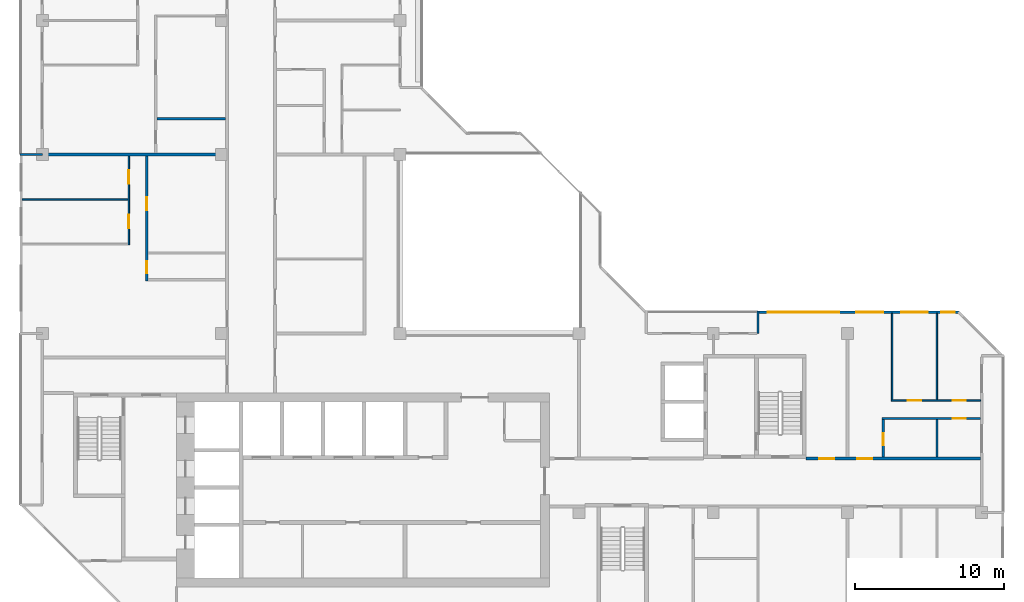
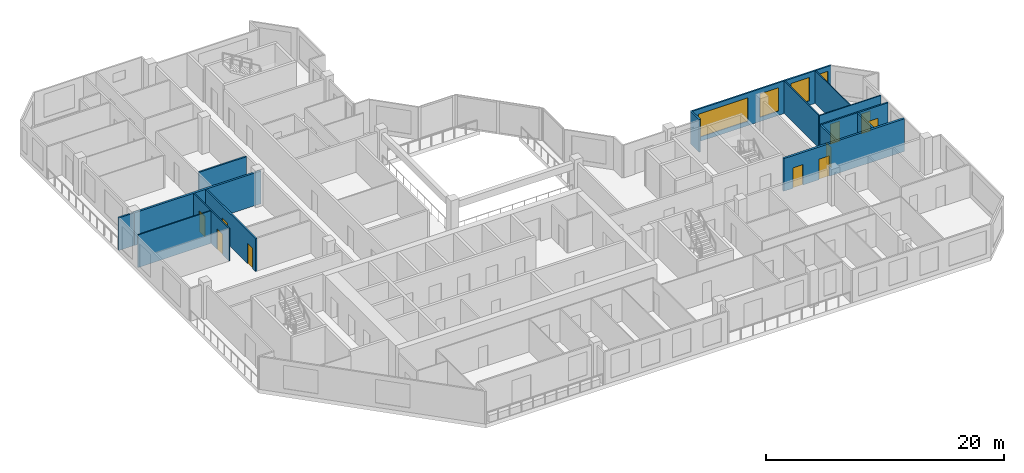
# One storey, part 8 of 13: 15 walls, 10 doors, 4 windows, 14 openings.
"""IFC4 building model written with IfcOpenShell, lengths in metres."""

import ifcopenshell
import ifcopenshell.guid

model = None  # the IFC model being written
_history = None  # IfcOwnerHistory: only IFC2X3 demands one
_inside = {}  # id of a spatial element -> (the spatial element, [elements in it])
_under = {}  # id of a project, library or spatial element -> (it, [spatial elements below it])
_declared = {}  # id of a project -> (the project, [libraries it declares])
_typed = {}  # id of a type object -> (the type object, [elements of that type])
_made_of = {}  # id of a material, layer set ... -> (it, [elements and type objects made of it])


def new_model(schema):
    """Start an empty IFC model of exactly this schema.

    Asked for "IFC4X3", IfcOpenShell would pick the latest addendum, in which some entities
    have other attributes; the version numbers below select the first issue.
    IFC2X3 requires an IfcOwnerHistory on every rooted entity: one is made here for all.
    """
    global model, _history
    if schema == "IFC4X3":
        model = ifcopenshell.file(schema_version=(4, 3, 0, 0))
    else:
        model = ifcopenshell.file(schema=schema)
    _inside.clear()
    _under.clear()
    _declared.clear()
    _typed.clear()
    _made_of.clear()
    _history = None
    if model.schema == "IFC2X3":
        org = make("IfcOrganization", Name="unknown")
        user = make(
            "IfcPersonAndOrganization",
            ThePerson=make("IfcPerson", FamilyName="unknown"),
            TheOrganization=org,
        )
        app = make(
            "IfcApplication",
            ApplicationDeveloper=org,
            Version="unknown",
            ApplicationFullName="unknown",
            ApplicationIdentifier="unknown",
        )
        _history = make(
            "IfcOwnerHistory",
            OwningUser=user,
            OwningApplication=app,
            ChangeAction="ADDED",
            CreationDate=0,
        )
    return model


def make(cls, **values):
    """One entity of the class cls with the attributes given. An attribute that is None is left unset."""
    return model.create_entity(
        cls, **{name: value for name, value in values.items() if value is not None}
    )


def rooted(cls, **values):
    """An entity with a GlobalId (a new one), such as an element, a storey or a relation."""
    return make(cls, GlobalId=ifcopenshell.guid.new(), OwnerHistory=_history, **values)


def si_unit(unit_type, name, prefix=None):
    """IfcSIUnit, for example si_unit("LENGTHUNIT", "METRE", prefix="MILLI")."""
    return make("IfcSIUnit", UnitType=unit_type, Prefix=prefix, Name=name)


def assignment(units):
    """IfcUnitAssignment: the units of a project."""
    return None if units is None else make("IfcUnitAssignment", Units=units)


def point(xyz):
    """IfcCartesianPoint."""
    return None if xyz is None else make("IfcCartesianPoint", Coordinates=xyz)


def direction(xyz):
    """IfcDirection."""
    return None if xyz is None else make("IfcDirection", DirectionRatios=xyz)


def frame(location, z_axis=None, x_axis=None):
    """IfcAxis2Placement3D, a coordinate frame: its origin and axes. An axis left out is left unset."""
    return make(
        "IfcAxis2Placement3D",
        Location=point(location),
        Axis=direction(z_axis),
        RefDirection=direction(x_axis),
    )


def frame_2d(location, x_axis=None):
    """IfcAxis2Placement2D, a coordinate frame in the plane: its origin and x axis."""
    return make(
        "IfcAxis2Placement2D", Location=point(location), RefDirection=direction(x_axis)
    )


def origin():
    """The frame at (0, 0, 0) with its axes left unset."""
    return frame((0.0, 0.0, 0.0))


def place(relative_to, where):
    """IfcLocalPlacement: puts the frame where relative to a parent placement (None: the world)."""
    return make(
        "IfcLocalPlacement", PlacementRelTo=relative_to, RelativePlacement=where
    )


def context(
    kind, dimensions, precision=None, world=None, true_north=None, identifier=None
):
    """IfcGeometricRepresentationContext, for example the 3D "Model" context."""
    return make(
        "IfcGeometricRepresentationContext",
        ContextIdentifier=identifier,
        ContextType=kind,
        CoordinateSpaceDimension=dimensions,
        Precision=precision,
        WorldCoordinateSystem=world,
        TrueNorth=true_north,
    )


def subcontext(parent, identifier, kind, view, scale=None):
    """IfcGeometricRepresentationSubContext, for example "Body" below "Model"."""
    return make(
        "IfcGeometricRepresentationSubContext",
        ContextIdentifier=identifier,
        ContextType=kind,
        ParentContext=parent,
        TargetScale=scale,
        TargetView=view,
    )


def project(units=None, contexts=None):
    """IfcProject with its units and contexts."""
    return rooted(
        "IfcProject",
        Name="project",
        RepresentationContexts=contexts,
        UnitsInContext=assignment(units),
    )


def spatial(cls, under=None, at=None, **own):
    """A site, building, storey or space (cls), placed at a placement, below another one or the project."""
    s = rooted(cls, ObjectPlacement=at, **own)
    if under is not None:
        _under.setdefault(under.id(), (under, []))[1].append(s)
    return s


def profile(cls, at=None, kind="AREA", **sizes):
    """A parametric profile (cls). Its sizes go by their IFC names, for example OverallWidth=200.0."""
    return make(cls, ProfileType=kind, Position=at, **sizes)


def rectangle(**sizes):
    """IfcRectangleProfileDef."""
    return profile("IfcRectangleProfileDef", **sizes)


def extrude(swept, where, along, depth):
    """IfcExtrudedAreaSolid: the profile swept, set in the frame where, extruded along a direction by depth."""
    return make(
        "IfcExtrudedAreaSolid",
        SweptArea=swept,
        Position=where,
        ExtrudedDirection=direction(along),
        Depth=depth,
    )


def shape(context_of_items, identifier, shape_type, items):
    """IfcShapeRepresentation: the items that make up one representation, for example the "Body"."""
    return make(
        "IfcShapeRepresentation",
        ContextOfItems=context_of_items,
        RepresentationIdentifier=identifier,
        RepresentationType=shape_type,
        Items=items,
    )


def material(Name=None, Category=None):
    """IfcMaterial."""
    return make("IfcMaterial", Name=Name, Category=Category)


def layer(
    of_material, thickness, ventilated=None, Name=None, Category=None, Priority=None
):
    """IfcMaterialLayer: one layer of a wall or slab, of a material (None: an air gap)."""
    return make(
        "IfcMaterialLayer",
        Material=of_material,
        LayerThickness=thickness,
        IsVentilated=ventilated,
        Name=Name,
        Category=Category,
        Priority=Priority,
    )


def layer_set(layers, Name=None):
    """IfcMaterialLayerSet."""
    return make("IfcMaterialLayerSet", MaterialLayers=layers, LayerSetName=Name)


def made_of(thing, what):
    """Note that an element or type object is made of a material, layer set ...; save() writes the relation."""
    if what is not None:
        _made_of.setdefault(what.id(), (what, []))[1].append(thing)
    return thing


def type_object(cls, material=None, **own):
    """A type object (cls), such as IfcWallType, which elements share."""
    return made_of(rooted(cls, **own), material)


def element(
    cls,
    number,
    at=None,
    inside=None,
    cuts=None,
    type_object=None,
    material=None,
    context=None,
    identifier="Body",
    shape_type=None,
    held_by="IfcProductDefinitionShape",
    body=None,
    shapes=None,
    **own,
):
    """One element of the class cls, such as IfcWall. Its Tag is "e" and its number.

    at: its placement. inside: the storey or other place that contains it. cuts: it is an
    opening in that element (IfcRelVoidsElement). A single representation is given by context,
    identifier, shape_type and body (its items); several are given by shapes. held_by: the class
    of the entity that holds the representations. save() writes the other relations.
    """
    e = rooted(cls, Tag="e%d" % number, ObjectPlacement=at, **own)
    if body is not None:
        shapes = [shape(context, identifier, shape_type, body)]
    if shapes is not None:
        e.Representation = make(held_by, Representations=shapes)
    if inside is not None:
        _inside.setdefault(inside.id(), (inside, []))[1].append(e)
    if cuts is not None:
        rooted(
            "IfcRelVoidsElement", RelatingBuildingElement=cuts, RelatedOpeningElement=e
        )
    if type_object is not None:
        _typed.setdefault(type_object.id(), (type_object, []))[1].append(e)
    return made_of(e, material)


def fill(opening, filler):
    """IfcRelFillsElement: the door or window that sits in an opening."""
    return rooted(
        "IfcRelFillsElement",
        RelatingOpeningElement=opening,
        RelatedBuildingElement=filler,
    )


def aggregate(whole, parts):
    """IfcRelAggregates: a whole, such as a stair, and the parts it consists of."""
    return rooted("IfcRelAggregates", RelatingObject=whole, RelatedObjects=parts)


def save(model, path):
    """Write the relations noted so far, then the file.

    IfcRelAggregates (storeys below a building ...), IfcRelContainedInSpatialStructure (elements
    in a storey), IfcRelDefinesByType, IfcRelAssociatesMaterial and IfcRelDeclares: one each for
    every whole, place, type object, material and project.
    """
    for whole, parts in _under.values():
        aggregate(whole, parts)
    for where, things in _inside.values():
        rooted(
            "IfcRelContainedInSpatialStructure",
            RelatedElements=things,
            RelatingStructure=where,
        )
    for kind, things in _typed.values():
        rooted("IfcRelDefinesByType", RelatedObjects=things, RelatingType=kind)
    for what, things in _made_of.values():
        rooted("IfcRelAssociatesMaterial", RelatedObjects=things, RelatingMaterial=what)
    for by, libraries in _declared.values():
        rooted("IfcRelDeclares", RelatingContext=by, RelatedDefinitions=libraries)
    model.write(path)


model = new_model("IFC4")

# Units and contexts
model_context = context("Model", 3, precision=1e-05, world=origin(), true_north=direction((0.0, 1.0)))
body_context = subcontext(model_context, "Body", "Model", "MODEL_VIEW")
ifc_project = project(units=[si_unit("LENGTHUNIT", "METRE"), si_unit("AREAUNIT", "SQUARE_METRE"), si_unit("VOLUMEUNIT", "CUBIC_METRE"), si_unit("PLANEANGLEUNIT", "RADIAN"), si_unit("MASSUNIT", "GRAM", prefix="KILO")], contexts=[model_context])

# Site, building, storey
site_placement = place(None, origin())
site = spatial("IfcSite", under=ifc_project, at=site_placement, CompositionType="ELEMENT")
building_placement = place(site_placement, origin())
building = spatial("IfcBuilding", under=site, at=building_placement, Name="Chenar Terraces", CompositionType="ELEMENT")
storey_placement = place(building_placement, frame((0.0, 0.0, 284.64990234375)))
storey = spatial("IfcBuildingStorey", under=building, at=storey_placement, Name="L66", CompositionType="ELEMENT", Elevation=284.64990234375)

# Wall, openings, doors
ifc_material_1 = material(Name="Gypsum board on steel studs with fire boards", Category="steel")
ifc_layer_1 = layer(ifc_material_1, 0.199951171875)
ifc_layer_set_1 = layer_set([ifc_layer_1], Name="Gypsum board on steel studs with fire boards")
wall_type_1 = type_object("IfcWallType", Name="Corridor wall 200", PredefinedType="PARTITIONING", material=ifc_layer_set_1)
wall_1_placement = place(storey_placement, frame((51.22509765625, 15.60009765625, 0.0), z_axis=(0.0, 0.0, 1.0), x_axis=(1.0, 0.0, 0.0)))
wall_1 = element("IfcWall", 1, at=wall_1_placement, inside=storey, type_object=wall_type_1, Name="Partition L66-061", PredefinedType="PARTITIONING", context=body_context, shape_type="SweptSolid", body=[
    extrude(rectangle(XDim=11.700927734375, YDim=0.199951171875, at=frame_2d((5.8505859375, 0.0))), origin(), (0.0, 0.0, 1.0), 3.35009765625),
])
opening_1_placement = place(wall_1_placement, frame((3.425048828125, 0.0, 0.0)))
opening_1 = element("IfcOpeningElement", 2, at=opening_1_placement, cuts=wall_1, Name="Opening DL66-8", PredefinedType="OPENING", context=body_context, shape_type="SweptSolid", body=[
    extrude(rectangle(XDim=1.0, YDim=2.10009765625, at=frame_2d((0.5, 1.050048828125))), frame((0.0, 0.10986328125, 0.0), z_axis=(0.0, -1.0, 0.0), x_axis=(1.0, 0.0, 0.0)), (0.0, 0.0, 1.0), 0.219970703125),
])
opening_2_placement = place(wall_1_placement, frame((0.875, 0.0, 0.0)))
opening_2 = element("IfcOpeningElement", 3, at=opening_2_placement, cuts=wall_1, Name="Opening DL66-31", PredefinedType="OPENING", context=body_context, shape_type="SweptSolid", body=[
    extrude(rectangle(XDim=1.0, YDim=2.10009765625, at=frame_2d((0.5, 1.050048828125))), frame((0.0, 0.10986328125, 0.0), z_axis=(0.0, -1.0, 0.0), x_axis=(1.0, 0.0, 0.0)), (0.0, 0.0, 1.0), 0.219970703125),
])
ifc_material_2 = material(Name="Steel-framed fire-resisting door leaf", Category="steel")
door_type_1 = type_object("IfcDoorType", Name="Fire door FD30S 1000 x 2100", OperationType="SINGLE_SWING_LEFT", PredefinedType="DOOR", material=ifc_material_2)
door_1_placement = place(opening_1_placement, origin())
door_1 = element("IfcDoor", 4, at=door_1_placement, inside=storey, type_object=door_type_1, Name="Door DL66-8", OperationType="SINGLE_SWING_LEFT", OverallHeight=2.10009765625, OverallWidth=1.0, PredefinedType="DOOR", context=body_context, shape_type="SweptSolid", body=[
    extrude(rectangle(XDim=1.0, YDim=2.10009765625, at=frame_2d((0.5, 1.050048828125))), frame((0.0, 0.02490234375, 0.0), z_axis=(0.0, -1.0, 0.0), x_axis=(1.0, 0.0, 0.0)), (0.0, 0.0, 1.0), 0.050048828125),
])
fill(opening_1, door_1)
door_2_placement = place(opening_2_placement, origin())
door_2 = element("IfcDoor", 5, at=door_2_placement, inside=storey, type_object=door_type_1, Name="Door DL66-31", OperationType="SINGLE_SWING_RIGHT", OverallHeight=2.10009765625, OverallWidth=1.0, PredefinedType="DOOR", context=body_context, shape_type="SweptSolid", body=[
    extrude(rectangle(XDim=1.0, YDim=2.10009765625, at=frame_2d((0.5, 1.050048828125))), frame((0.0, 0.02490234375, 0.0), z_axis=(0.0, -1.0, 0.0), x_axis=(1.0, 0.0, 0.0)), (0.0, 0.0, 1.0), 0.050048828125),
])
fill(opening_2, door_2)

# Wall, openings, windows
ifc_material_3 = material(Name="Aluminium framed glazing", Category="aluminium")
ifc_layer_2 = layer(ifc_material_3, 0.14990234375)
ifc_layer_set_2 = layer_set([ifc_layer_2], Name="Aluminium framed glazing")
wall_type_2 = type_object("IfcWallType", Name="Glazed flush facade wall 150", PredefinedType="SOLIDWALL", material=ifc_layer_set_2)
wall_2_placement = place(storey_placement, frame((61.5, 25.425048828125, 0.0), z_axis=(0.0, 0.0, 1.0), x_axis=(-1.0, 0.0, 0.0)))
wall_2 = element("IfcWall", 6, at=wall_2_placement, inside=storey, type_object=wall_type_2, Name="Glazed flush facade wall", PredefinedType="SOLIDWALL", context=body_context, shape_type="SweptSolid", body=[
    extrude(rectangle(XDim=13.425048828125, YDim=0.14990234375, at=frame_2d((6.71240234375, 0.0))), origin(), (0.0, 0.0, 1.0), 3.35009765625),
])
opening_3_placement = place(wall_2_placement, frame((0.300048828125, 0.0, 0.449951171875)))
opening_3 = element("IfcOpeningElement", 7, at=opening_3_placement, cuts=wall_2, Name="Opening W90x240", PredefinedType="OPENING", context=body_context, shape_type="SweptSolid", body=[
    extrude(rectangle(XDim=0.89990234375, YDim=2.39990234375, at=frame_2d((0.449951171875, 1.199951171875))), frame((0.0, 0.0849609375, 0.0), z_axis=(0.0, -1.0, 0.0), x_axis=(1.0, 0.0, 0.0)), (0.0, 0.0, 1.0), 0.169921875),
])
opening_4_placement = place(wall_2_placement, frame((2.10009765625, 0.0, 0.449951171875)))
opening_4 = element("IfcOpeningElement", 8, at=opening_4_placement, cuts=wall_2, Name="Opening W180x240", PredefinedType="OPENING", context=body_context, shape_type="SweptSolid", body=[
    extrude(rectangle(XDim=1.800048828125, YDim=2.39990234375, at=frame_2d((0.89990234375, 1.199951171875))), frame((0.0, 0.0849609375, 0.0), z_axis=(0.0, -1.0, 0.0), x_axis=(1.0, 0.0, 0.0)), (0.0, 0.0, 1.0), 0.169921875),
])
opening_5_placement = place(wall_2_placement, frame((5.10009765625, 0.0, 0.449951171875)))
opening_5 = element("IfcOpeningElement", 9, at=opening_5_placement, cuts=wall_2, Name="Opening W180x240", PredefinedType="OPENING", context=body_context, shape_type="SweptSolid", body=[
    extrude(rectangle(XDim=1.800048828125, YDim=2.39990234375, at=frame_2d((0.89990234375, 1.199951171875))), frame((0.0, 0.0849609375, 0.0), z_axis=(0.0, -1.0, 0.0), x_axis=(1.0, 0.0, 0.0)), (0.0, 0.0, 1.0), 0.169921875),
])
opening_6_placement = place(wall_2_placement, frame((8.0625, 0.0, 0.449951171875)))
opening_6 = element("IfcOpeningElement", 10, at=opening_6_placement, cuts=wall_2, Name="Opening W480x240", PredefinedType="OPENING", context=body_context, shape_type="SweptSolid", body=[
    extrude(rectangle(XDim=4.800048828125, YDim=2.39990234375, at=frame_2d((2.39990234375, 1.199951171875))), frame((0.0, 0.0849609375, 0.0), z_axis=(0.0, -1.0, 0.0), x_axis=(1.0, 0.0, 0.0)), (0.0, 0.0, 1.0), 0.169921875),
])
ifc_material_4 = material(Name="Low emissivity double glazing, aluminium frame", Category="aluminium")
window_type_1 = type_object("IfcWindowType", Name="Fixed light 1800 x 2400", PartitioningType="SINGLE_PANEL", PredefinedType="WINDOW", material=ifc_material_4)
window_1_placement = place(opening_4_placement, origin())
window_1 = element("IfcWindow", 11, at=window_1_placement, inside=storey, type_object=window_type_1, Name="Window", OverallHeight=2.39990234375, OverallWidth=1.800048828125, PartitioningType="SINGLE_PANEL", PredefinedType="WINDOW", context=body_context, shape_type="SweptSolid", body=[
    extrude(rectangle(XDim=1.800048828125, YDim=2.39990234375, at=frame_2d((0.89990234375, 1.199951171875))), frame((0.0, 0.030029296875, 0.0), z_axis=(0.0, -1.0, 0.0), x_axis=(1.0, 0.0, 0.0)), (0.0, 0.0, 1.0), 0.06005859375),
])
fill(opening_4, window_1)
window_2_placement = place(opening_5_placement, origin())
window_2 = element("IfcWindow", 12, at=window_2_placement, inside=storey, type_object=window_type_1, Name="Window", OverallHeight=2.39990234375, OverallWidth=1.800048828125, PartitioningType="SINGLE_PANEL", PredefinedType="WINDOW", context=body_context, shape_type="SweptSolid", body=[
    extrude(rectangle(XDim=1.800048828125, YDim=2.39990234375, at=frame_2d((0.89990234375, 1.199951171875))), frame((0.0, 0.030029296875, 0.0), z_axis=(0.0, -1.0, 0.0), x_axis=(1.0, 0.0, 0.0)), (0.0, 0.0, 1.0), 0.06005859375),
])
fill(opening_5, window_2)
ifc_material_5 = material(Name="Low emissivity double glazing, aluminium frame", Category="aluminium")
window_type_2 = type_object("IfcWindowType", Name="Fixed light 4800 x 2400", PartitioningType="SINGLE_PANEL", PredefinedType="WINDOW", material=ifc_material_5)
window_3_placement = place(opening_6_placement, origin())
window_3 = element("IfcWindow", 13, at=window_3_placement, inside=storey, type_object=window_type_2, Name="Window", OverallHeight=2.39990234375, OverallWidth=4.800048828125, PartitioningType="SINGLE_PANEL", PredefinedType="WINDOW", context=body_context, shape_type="SweptSolid", body=[
    extrude(rectangle(XDim=4.800048828125, YDim=2.39990234375, at=frame_2d((2.39990234375, 1.199951171875))), frame((0.0, 0.030029296875, 0.0), z_axis=(0.0, -1.0, 0.0), x_axis=(1.0, 0.0, 0.0)), (0.0, 0.0, 1.0), 0.06005859375),
])
fill(opening_6, window_3)
ifc_material_6 = material(Name="Low emissivity double glazing, aluminium frame", Category="aluminium")
window_type_3 = type_object("IfcWindowType", Name="Fixed light 900 x 2400", PartitioningType="SINGLE_PANEL", PredefinedType="WINDOW", material=ifc_material_6)
window_4_placement = place(opening_3_placement, origin())
window_4 = element("IfcWindow", 14, at=window_4_placement, inside=storey, type_object=window_type_3, Name="Window", OverallHeight=2.39990234375, OverallWidth=0.89990234375, PartitioningType="SINGLE_PANEL", PredefinedType="WINDOW", context=body_context, shape_type="SweptSolid", body=[
    extrude(rectangle(XDim=0.89990234375, YDim=2.39990234375, at=frame_2d((0.449951171875, 1.199951171875))), frame((0.0, 0.030029296875, 0.0), z_axis=(0.0, -1.0, 0.0), x_axis=(1.0, 0.0, 0.0)), (0.0, 0.0, 1.0), 0.06005859375),
])
fill(opening_3, window_4)

# Wall
ifc_material_7 = material(Name="Gypsum board on steel studs", Category="steel")
ifc_layer_3 = layer(ifc_material_7, 0.10009765625)
ifc_layer_set_3 = layer_set([ifc_layer_3], Name="Gypsum board on steel studs")
wall_type_3 = type_object("IfcWallType", Name="Gypsum partition 100", PredefinedType="PARTITIONING", material=ifc_layer_set_3)
wall_3_placement = place(storey_placement, frame((-1.35107421875, 33.0, 0.0), z_axis=(0.0, 0.0, 1.0), x_axis=(1.0, 0.0, 0.0)))
element("IfcWall", 15, at=wall_3_placement, inside=storey, type_object=wall_type_3, Name="Partition L66-001", PredefinedType="PARTITIONING", context=body_context, shape_type="SweptSolid", body=[
    extrude(rectangle(XDim=7.10107421875, YDim=0.10009765625, at=frame_2d((3.550537109375, 0.0))), origin(), (0.0, 0.0, 1.0), 3.35009765625),
])

# Wall, openings, doors
wall_4_placement = place(storey_placement, frame((5.800048828125, 29.949951171875, 0.0), z_axis=(0.0, 0.0, 1.0), x_axis=(0.0, 1.0, 0.0)))
wall_4 = element("IfcWall", 16, at=wall_4_placement, inside=storey, type_object=wall_type_3, Name="Partition L66-013", PredefinedType="PARTITIONING", context=body_context, shape_type="SweptSolid", body=[
    extrude(rectangle(XDim=5.949951171875, YDim=0.10009765625, at=frame_2d((2.97509765625, 0.0))), origin(), (0.0, 0.0, 1.0), 3.35009765625),
])
opening_7_placement = place(wall_4_placement, frame((1.10009765625, 0.0, 0.0)))
opening_7 = element("IfcOpeningElement", 17, at=opening_7_placement, cuts=wall_4, Name="Opening DL66-50", PredefinedType="OPENING", context=body_context, shape_type="SweptSolid", body=[
    extrude(rectangle(XDim=0.89990234375, YDim=2.10009765625, at=frame_2d((0.449951171875, 1.050048828125))), frame((0.0, 0.06005859375, 0.0), z_axis=(0.0, -1.0, 0.0), x_axis=(1.0, 0.0, 0.0)), (0.0, 0.0, 1.0), 0.1201171875),
])
opening_8_placement = place(wall_4_placement, frame((4.10009765625, 0.0, 0.0)))
opening_8 = element("IfcOpeningElement", 18, at=opening_8_placement, cuts=wall_4, Name="Opening DL66-51", PredefinedType="OPENING", context=body_context, shape_type="SweptSolid", body=[
    extrude(rectangle(XDim=0.89990234375, YDim=2.10009765625, at=frame_2d((0.449951171875, 1.050048828125))), frame((0.0, 0.06005859375, 0.0), z_axis=(0.0, -1.0, 0.0), x_axis=(1.0, 0.0, 0.0)), (0.0, 0.0, 1.0), 0.1201171875),
])
ifc_material_8 = material(Name="Veneered timber door leaf", Category="wood")
door_type_2 = type_object("IfcDoorType", Name="Door 900 x 2100", OperationType="SINGLE_SWING_LEFT", PredefinedType="DOOR", material=ifc_material_8)
door_3_placement = place(opening_7_placement, origin())
door_3 = element("IfcDoor", 19, at=door_3_placement, inside=storey, type_object=door_type_2, Name="Door DL66-50", OperationType="SINGLE_SWING_LEFT", OverallHeight=2.10009765625, OverallWidth=0.89990234375, PredefinedType="DOOR", context=body_context, shape_type="SweptSolid", body=[
    extrude(rectangle(XDim=0.89990234375, YDim=2.10009765625, at=frame_2d((0.449951171875, 1.050048828125))), frame((0.0, 0.02490234375, 0.0), z_axis=(0.0, -1.0, 0.0), x_axis=(1.0, 0.0, 0.0)), (0.0, 0.0, 1.0), 0.050048828125),
])
fill(opening_7, door_3)
door_4_placement = place(opening_8_placement, origin())
door_4 = element("IfcDoor", 20, at=door_4_placement, inside=storey, type_object=door_type_2, Name="Door DL66-51", OperationType="SINGLE_SWING_RIGHT", OverallHeight=2.10009765625, OverallWidth=0.89990234375, PredefinedType="DOOR", context=body_context, shape_type="SweptSolid", body=[
    extrude(rectangle(XDim=0.89990234375, YDim=2.10009765625, at=frame_2d((0.449951171875, 1.050048828125))), frame((0.0, 0.02490234375, 0.0), z_axis=(0.0, -1.0, 0.0), x_axis=(1.0, 0.0, 0.0)), (0.0, 0.0, 1.0), 0.050048828125),
])
fill(opening_8, door_4)

wall_5_placement = place(storey_placement, frame((56.949951171875, 19.5, 0.0), z_axis=(0.0, 0.0, 1.0), x_axis=(1.0, 0.0, 0.0)))
wall_5 = element("IfcWall", 21, at=wall_5_placement, inside=storey, type_object=wall_type_3, Name="Partition L66-068", PredefinedType="PARTITIONING", context=body_context, shape_type="SweptSolid", body=[
    extrude(rectangle(XDim=5.97607421875, YDim=0.10009765625, at=frame_2d((2.988037109375, 0.0))), origin(), (0.0, 0.0, 1.0), 3.35009765625),
])
opening_9_placement = place(wall_5_placement, frame((1.10009765625, 0.0, 0.0)))
opening_9 = element("IfcOpeningElement", 22, at=opening_9_placement, cuts=wall_5, Name="Opening DL66-5", PredefinedType="OPENING", context=body_context, shape_type="SweptSolid", body=[
    extrude(rectangle(XDim=0.89990234375, YDim=2.10009765625, at=frame_2d((0.449951171875, 1.050048828125))), frame((0.0, 0.06005859375, 0.0), z_axis=(0.0, -1.0, 0.0), x_axis=(1.0, 0.0, 0.0)), (0.0, 0.0, 1.0), 0.1201171875),
])
opening_10_placement = place(wall_5_placement, frame((4.10009765625, 0.0, 0.0)))
opening_10 = element("IfcOpeningElement", 23, at=opening_10_placement, cuts=wall_5, Name="Opening DL66-6", PredefinedType="OPENING", context=body_context, shape_type="SweptSolid", body=[
    extrude(rectangle(XDim=0.89990234375, YDim=2.10009765625, at=frame_2d((0.449951171875, 1.050048828125))), frame((0.0, 0.06005859375, 0.0), z_axis=(0.0, -1.0, 0.0), x_axis=(1.0, 0.0, 0.0)), (0.0, 0.0, 1.0), 0.1201171875),
])
door_5_placement = place(opening_9_placement, origin())
door_5 = element("IfcDoor", 24, at=door_5_placement, inside=storey, type_object=door_type_2, Name="Door DL66-5", OperationType="SINGLE_SWING_LEFT", OverallHeight=2.10009765625, OverallWidth=0.89990234375, PredefinedType="DOOR", context=body_context, shape_type="SweptSolid", body=[
    extrude(rectangle(XDim=0.89990234375, YDim=2.10009765625, at=frame_2d((0.449951171875, 1.050048828125))), frame((0.0, 0.02490234375, 0.0), z_axis=(0.0, -1.0, 0.0), x_axis=(1.0, 0.0, 0.0)), (0.0, 0.0, 1.0), 0.050048828125),
])
fill(opening_9, door_5)
door_6_placement = place(opening_10_placement, origin())
door_6 = element("IfcDoor", 25, at=door_6_placement, inside=storey, type_object=door_type_2, Name="Door DL66-6", OperationType="SINGLE_SWING_LEFT", OverallHeight=2.10009765625, OverallWidth=0.89990234375, PredefinedType="DOOR", context=body_context, shape_type="SweptSolid", body=[
    extrude(rectangle(XDim=0.89990234375, YDim=2.10009765625, at=frame_2d((0.449951171875, 1.050048828125))), frame((0.0, 0.02490234375, 0.0), z_axis=(0.0, -1.0, 0.0), x_axis=(1.0, 0.0, 0.0)), (0.0, 0.0, 1.0), 0.050048828125),
])
fill(opening_10, door_6)

# Walls
wall_6_placement = place(storey_placement, frame((57.0, 19.550048828125, 0.0), z_axis=(0.0, 0.0, 1.0), x_axis=(0.0, 1.0, 0.0)))
element("IfcWall", 26, at=wall_6_placement, inside=storey, type_object=wall_type_3, Name="Partition L66-070", PredefinedType="PARTITIONING", context=body_context, shape_type="SweptSolid", body=[
    extrude(rectangle(XDim=5.800048828125, YDim=0.10009765625, at=frame_2d((2.89990234375, 0.0))), origin(), (0.0, 0.0, 1.0), 3.35009765625),
])
wall_7_placement = place(storey_placement, frame((60.0, 19.550048828125, 0.0), z_axis=(0.0, 0.0, 1.0), x_axis=(0.0, 1.0, 0.0)))
element("IfcWall", 27, at=wall_7_placement, inside=storey, type_object=wall_type_3, Name="Partition L66-075", PredefinedType="PARTITIONING", context=body_context, shape_type="SweptSolid", body=[
    extrude(rectangle(XDim=5.801025390625, YDim=0.10009765625, at=frame_2d((2.900390625, 0.0))), origin(), (0.0, 0.0, 1.0), 3.35009765625),
])
ifc_material_9 = material(Name="Terracotta cladding on insulated backing", Category="masonry")
ifc_layer_4 = layer(ifc_material_9, 0.14990234375)
ifc_layer_set_4 = layer_set([ifc_layer_4], Name="Terracotta cladding on insulated backing")
wall_type_4 = type_object("IfcWallType", Name="Loggia return wall 150", PredefinedType="SOLIDWALL", material=ifc_layer_set_4)
for number, where, z_axis, x_axis, name in (
    (28, (48.0, 25.5, 0.0), (0.0, 0.0, 1.0), (0.0, -1.0, 0.0), "Loggia return wall"),
    (29, (-1.5, 36.0, 0.0), (0.0, 0.0, 1.0), (1.0, 0.0, 0.0), "Loggia return wall"),
):
    element("IfcWall", number, at=place(storey_placement, frame(where, z_axis=z_axis, x_axis=x_axis)), inside=storey, type_object=wall_type_4, Name=name, PredefinedType="SOLIDWALL", context=body_context, shape_type="SweptSolid", body=[
        extrude(rectangle(XDim=1.5, YDim=0.14990234375, at=frame_2d((0.75, 0.0))), origin(), (0.0, 0.0, 1.0), 3.35009765625),
    ])
ifc_material_10 = material(Name="Twin gypsum board on steel studs with mineral wool", Category="steel")
ifc_layer_5 = layer(ifc_material_10, 0.199951171875)
ifc_layer_set_5 = layer_set([ifc_layer_5], Name="Twin gypsum board on steel studs with mineral wool")
wall_type_5 = type_object("IfcWallType", Name="Unit demising wall 200", PredefinedType="PARTITIONING", material=ifc_layer_set_5)
wall_8_placement = place(storey_placement, frame((0.0, 36.0, 0.0), z_axis=(0.0, 0.0, 1.0), x_axis=(1.0, 0.0, 0.0)))
element("IfcWall", 30, at=wall_8_placement, inside=storey, type_object=wall_type_5, Name="Partition L66-004", PredefinedType="PARTITIONING", context=body_context, shape_type="SweptSolid", body=[
    extrude(rectangle(XDim=12.300048828125, YDim=0.199951171875, at=frame_2d((6.14990234375, 0.0))), origin(), (0.0, 0.0, 1.0), 3.35009765625),
])

# Wall, openings, doors
ifc_material_11 = material(Name="Moisture-resistant gypsum board on steel studs", Category="steel")
ifc_layer_6 = layer(ifc_material_11, 0.14990234375)
ifc_layer_set_6 = layer_set([ifc_layer_6], Name="Moisture-resistant gypsum board on steel studs")
wall_type_6 = type_object("IfcWallType", Name="Wet-room partition 150", PredefinedType="PARTITIONING", material=ifc_layer_set_6)
wall_9_placement = place(storey_placement, frame((7.0, 27.52490234375, 0.0), z_axis=(0.0, 0.0, 1.0), x_axis=(0.0, 1.0, 0.0)))
wall_9 = element("IfcWall", 31, at=wall_9_placement, inside=storey, type_object=wall_type_6, Name="Partition L66-015", PredefinedType="PARTITIONING", context=body_context, shape_type="SweptSolid", body=[
    extrude(rectangle(XDim=8.375, YDim=0.14990234375, at=frame_2d((4.1875, 0.0))), origin(), (0.0, 0.0, 1.0), 3.35009765625),
])
opening_11_placement = place(wall_9_placement, frame((0.52490234375, 0.0, 0.0)))
opening_11 = element("IfcOpeningElement", 32, at=opening_11_placement, cuts=wall_9, Name="Opening DL66-49", PredefinedType="OPENING", context=body_context, shape_type="SweptSolid", body=[
    extrude(rectangle(XDim=0.800048828125, YDim=2.10009765625, at=frame_2d((0.39990234375, 1.050048828125))), frame((0.0, 0.0849609375, 0.0), z_axis=(0.0, -1.0, 0.0), x_axis=(1.0, 0.0, 0.0)), (0.0, 0.0, 1.0), 0.169921875),
])
opening_12_placement = place(wall_9_placement, frame((4.72509765625, 0.0, 0.0)))
opening_12 = element("IfcOpeningElement", 33, at=opening_12_placement, cuts=wall_9, Name="Opening DL66-52", PredefinedType="OPENING", context=body_context, shape_type="SweptSolid", body=[
    extrude(rectangle(XDim=0.89990234375, YDim=2.10009765625, at=frame_2d((0.449951171875, 1.050048828125))), frame((0.0, 0.0849609375, 0.0), z_axis=(0.0, -1.0, 0.0), x_axis=(1.0, 0.0, 0.0)), (0.0, 0.0, 1.0), 0.169921875),
])
ifc_material_12 = material(Name="Veneered timber door leaf", Category="wood")
door_type_3 = type_object("IfcDoorType", Name="Door 800 x 2100", OperationType="SINGLE_SWING_LEFT", PredefinedType="DOOR", material=ifc_material_12)
door_7_placement = place(opening_11_placement, frame((0.800048828125, 0.0, 0.0), z_axis=(0.0, 0.0, 1.0), x_axis=(-1.0, 0.0, 0.0)))
door_7 = element("IfcDoor", 34, at=door_7_placement, inside=storey, type_object=door_type_3, Name="Door DL66-49", OperationType="SINGLE_SWING_RIGHT", OverallHeight=2.10009765625, OverallWidth=0.800048828125, PredefinedType="DOOR", context=body_context, shape_type="SweptSolid", body=[
    extrude(rectangle(XDim=0.800048828125, YDim=2.10009765625, at=frame_2d((0.39990234375, 1.050048828125))), frame((0.0, 0.02490234375, 0.0), z_axis=(0.0, -1.0, 0.0), x_axis=(1.0, 0.0, 0.0)), (0.0, 0.0, 1.0), 0.050048828125),
])
fill(opening_11, door_7)
door_8_placement = place(opening_12_placement, frame((0.89990234375, 0.0, 0.0), z_axis=(0.0, 0.0, 1.0), x_axis=(-1.0, 0.0, 0.0)))
door_8 = element("IfcDoor", 35, at=door_8_placement, inside=storey, type_object=door_type_2, Name="Door DL66-52", OperationType="SINGLE_SWING_RIGHT", OverallHeight=2.10009765625, OverallWidth=0.89990234375, PredefinedType="DOOR", context=body_context, shape_type="SweptSolid", body=[
    extrude(rectangle(XDim=0.89990234375, YDim=2.10009765625, at=frame_2d((0.449951171875, 1.050048828125))), frame((0.0, 0.02490234375, 0.0), z_axis=(0.0, -1.0, 0.0), x_axis=(1.0, 0.0, 0.0)), (0.0, 0.0, 1.0), 0.050048828125),
])
fill(opening_12, door_8)

# Wall
wall_10_placement = place(storey_placement, frame((7.675048828125, 38.39990234375, 0.0), z_axis=(0.0, 0.0, 1.0), x_axis=(1.0, 0.0, 0.0)))
element("IfcWall", 36, at=wall_10_placement, inside=storey, type_object=wall_type_6, Name="Partition L66-020", PredefinedType="PARTITIONING", context=body_context, shape_type="SweptSolid", body=[
    extrude(rectangle(XDim=4.625, YDim=0.14990234375, at=frame_2d((2.3125, 0.0))), origin(), (0.0, 0.0, 1.0), 3.35009765625),
])

# Wall, opening, door
wall_11_placement = place(storey_placement, frame((56.324951171875, 18.300048828125, 0.0), z_axis=(0.0, 0.0, 1.0), x_axis=(1.0, 0.0, 0.0)))
wall_11 = element("IfcWall", 37, at=wall_11_placement, inside=storey, type_object=wall_type_6, Name="Partition L66-066", PredefinedType="PARTITIONING", context=body_context, shape_type="SweptSolid", body=[
    extrude(rectangle(XDim=6.60107421875, YDim=0.14990234375, at=frame_2d((3.300537109375, 0.0))), origin(), (0.0, 0.0, 1.0), 3.35009765625),
])
opening_13_placement = place(wall_11_placement, frame((4.72509765625, 0.0, 0.0)))
opening_13 = element("IfcOpeningElement", 38, at=opening_13_placement, cuts=wall_11, Name="Opening DL66-7", PredefinedType="OPENING", context=body_context, shape_type="SweptSolid", body=[
    extrude(rectangle(XDim=0.89990234375, YDim=2.10009765625, at=frame_2d((0.449951171875, 1.050048828125))), frame((0.0, 0.0849609375, 0.0), z_axis=(0.0, -1.0, 0.0), x_axis=(1.0, 0.0, 0.0)), (0.0, 0.0, 1.0), 0.169921875),
])
door_9_placement = place(opening_13_placement, frame((0.89990234375, 0.0, 0.0), z_axis=(0.0, 0.0, 1.0), x_axis=(-1.0, 0.0, 0.0)))
door_9 = element("IfcDoor", 39, at=door_9_placement, inside=storey, type_object=door_type_2, Name="Door DL66-7", OperationType="SINGLE_SWING_RIGHT", OverallHeight=2.10009765625, OverallWidth=0.89990234375, PredefinedType="DOOR", context=body_context, shape_type="SweptSolid", body=[
    extrude(rectangle(XDim=0.89990234375, YDim=2.10009765625, at=frame_2d((0.449951171875, 1.050048828125))), frame((0.0, 0.02490234375, 0.0), z_axis=(0.0, -1.0, 0.0), x_axis=(1.0, 0.0, 0.0)), (0.0, 0.0, 1.0), 0.050048828125),
])
fill(opening_13, door_9)

wall_12_placement = place(storey_placement, frame((56.39990234375, 15.699951171875, 0.0), z_axis=(0.0, 0.0, 1.0), x_axis=(0.0, 1.0, 0.0)))
wall_12 = element("IfcWall", 40, at=wall_12_placement, inside=storey, type_object=wall_type_6, Name="Partition L66-067", PredefinedType="PARTITIONING", context=body_context, shape_type="SweptSolid", body=[
    extrude(rectangle(XDim=2.525146484375, YDim=0.14990234375, at=frame_2d((1.2626953125, 0.0))), origin(), (0.0, 0.0, 1.0), 3.35009765625),
])
opening_14_placement = place(wall_12_placement, frame((0.800048828125, 0.0, 0.0)))
opening_14 = element("IfcOpeningElement", 41, at=opening_14_placement, cuts=wall_12, Name="Opening DL66-4", PredefinedType="OPENING", context=body_context, shape_type="SweptSolid", body=[
    extrude(rectangle(XDim=0.800048828125, YDim=2.10009765625, at=frame_2d((0.39990234375, 1.050048828125))), frame((0.0, 0.0849609375, 0.0), z_axis=(0.0, -1.0, 0.0), x_axis=(1.0, 0.0, 0.0)), (0.0, 0.0, 1.0), 0.169921875),
])
door_10_placement = place(opening_14_placement, frame((0.800048828125, 0.0, 0.0), z_axis=(0.0, 0.0, 1.0), x_axis=(-1.0, 0.0, 0.0)))
door_10 = element("IfcDoor", 42, at=door_10_placement, inside=storey, type_object=door_type_3, Name="Door DL66-4", OperationType="SINGLE_SWING_RIGHT", OverallHeight=2.10009765625, OverallWidth=0.800048828125, PredefinedType="DOOR", context=body_context, shape_type="SweptSolid", body=[
    extrude(rectangle(XDim=0.800048828125, YDim=2.10009765625, at=frame_2d((0.39990234375, 1.050048828125))), frame((0.0, 0.02490234375, 0.0), z_axis=(0.0, -1.0, 0.0), x_axis=(1.0, 0.0, 0.0)), (0.0, 0.0, 1.0), 0.050048828125),
])
fill(opening_14, door_10)

# Wall
wall_13_placement = place(storey_placement, frame((60.0, 15.699951171875, 0.0), z_axis=(0.0, 0.0, 1.0), x_axis=(0.0, 1.0, 0.0)))
element("IfcWall", 43, at=wall_13_placement, inside=storey, type_object=wall_type_6, Name="Partition L66-074", PredefinedType="PARTITIONING", context=body_context, shape_type="SweptSolid", body=[
    extrude(rectangle(XDim=2.525146484375, YDim=0.14990234375, at=frame_2d((1.2626953125, 0.0))), origin(), (0.0, 0.0, 1.0), 3.35009765625),
])

save(model, "model.ifc")
